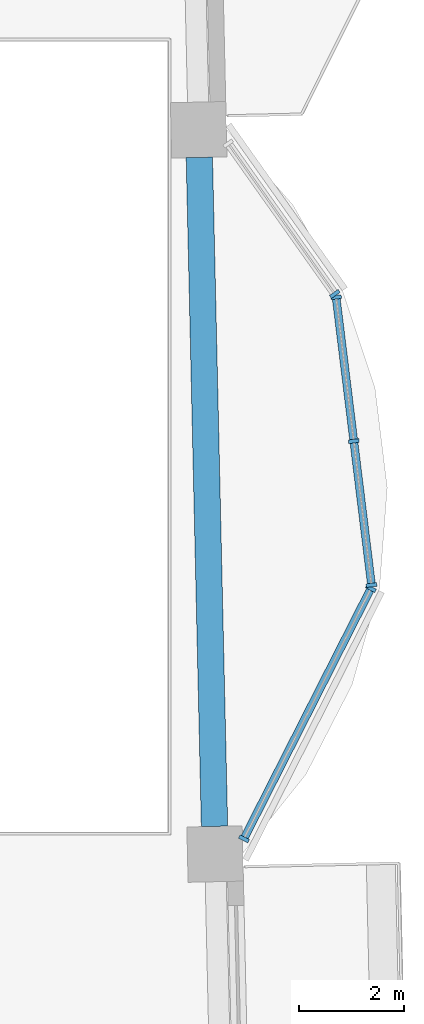
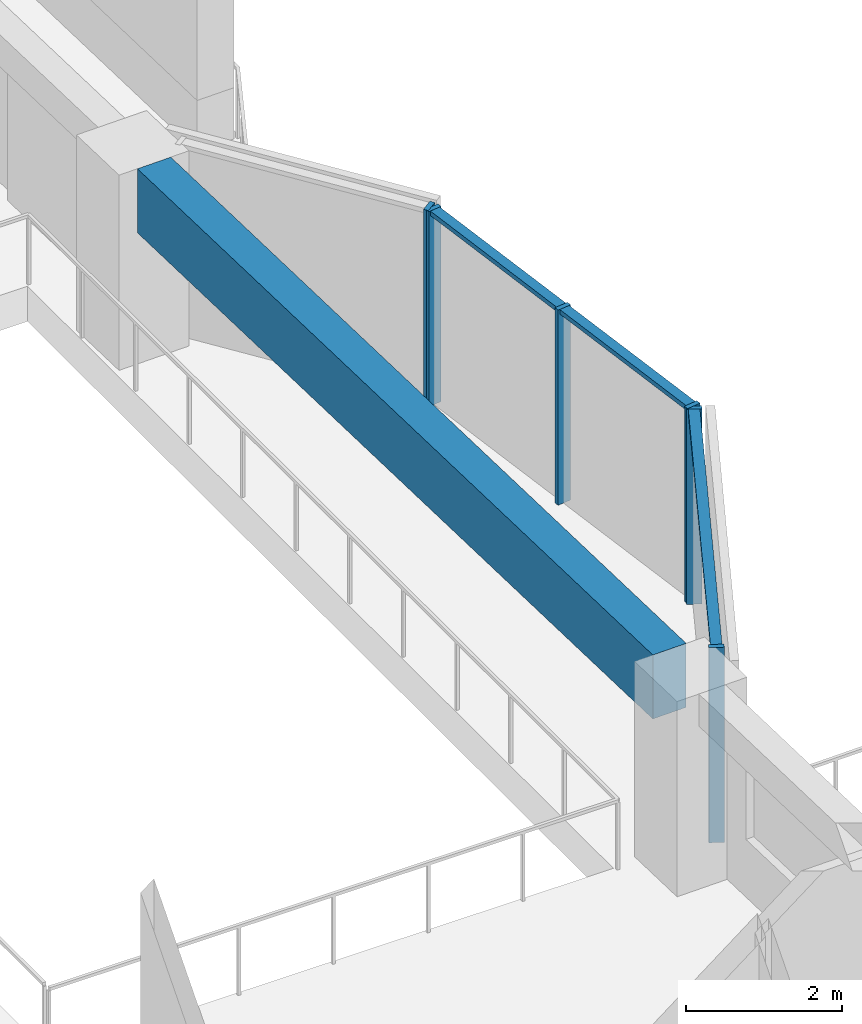
# One storey, part 2 of 17: 9 members, 1 beam, 3 elements without a shape of their own.
"""IFC4 building model written with IfcOpenShell, lengths in metres."""

from ifc_helpers import new_model, si_unit, direction, frame, origin, origin_2d, place, context, subcontext, project, spatial, rectangle, extrude, material, material_profile, profile_set, type_object, element, aggregate, save


model = new_model("IFC4")

# Units and contexts
model_context = context("Model", 3, precision=1e-05, world=origin(), true_north=direction((0.0, 1.0)))
body_context = subcontext(model_context, "Body", "Model", "MODEL_VIEW")
ifc_project = project(units=[si_unit("LENGTHUNIT", "METRE"), si_unit("AREAUNIT", "SQUARE_METRE"), si_unit("VOLUMEUNIT", "CUBIC_METRE"), si_unit("PLANEANGLEUNIT", "RADIAN"), si_unit("MASSUNIT", "GRAM", prefix="KILO")], contexts=[model_context])

# Site, building, storey
site_placement = place(None, origin())
site = spatial("IfcSite", under=ifc_project, at=site_placement, CompositionType="ELEMENT")
building_placement = place(site_placement, origin())
building = spatial("IfcBuilding", under=site, at=building_placement, Name="Mangrove Gate Tower", CompositionType="ELEMENT")
storey_placement = place(building_placement, frame((0.0, 0.0, 245.5)))
storey = spatial("IfcBuildingStorey", under=building, at=storey_placement, Name="L62", CompositionType="ELEMENT", Elevation=245.5)

# Curtain wall, members
ifc_material_1 = material(Name="Aluminium and glass curtain wall", Category="aluminium")
curtain_wall_type = type_object("IfcCurtainWallType", Name="Atrium garden-court glazing wall", PredefinedType="NOTDEFINED", material=ifc_material_1)
curtain_wall_1_placement = place(storey_placement, origin())
curtain_wall_1 = element("IfcCurtainWall", 1, at=curtain_wall_1_placement, inside=storey, type_object=curtain_wall_type, Name="Atrium garden-court glazing E1f1", PredefinedType="NOTDEFINED")
ifc_material_2 = material(Name="Aluminium alloy 6063-T6", Category="aluminium")
ifc_material_profile_1 = material_profile(ifc_material_2, rectangle(XDim=0.070068359375, YDim=0.199951171875, at=origin_2d()))
ifc_profile_set_1 = profile_set([ifc_material_profile_1], Name="Aluminium alloy 6063-T6")
member_type_1 = type_object("IfcMemberType", Name="Atrium garden-court glazing mullion 70x200", PredefinedType="MULLION", material=ifc_profile_set_1)
member_1_placement = place(storey_placement, frame((25.67333984375, -7.632080078125, 0.0), z_axis=(0.0, 0.0, 1.0), x_axis=(0.452597795636, 0.891714772439, 0.0)))
member_1 = element("IfcMember", 2, at=member_1_placement, type_object=member_type_1, Name="CWA mullion 1", PredefinedType="MULLION", context=body_context, shape_type="SweptSolid", body=[
    extrude(rectangle(XDim=0.070068359375, YDim=0.199951171875, at=origin_2d()), origin(), (0.0, 0.0, 1.0), 3.050048828125),
])
member_2_placement = place(storey_placement, frame((28.084716796875, -2.881103515625, 0.0), z_axis=(0.0, 0.0, 1.0), x_axis=(0.452597795636, 0.891714772439, 0.0)))
member_2 = element("IfcMember", 3, at=member_2_placement, type_object=member_type_1, Name="CWA mullion 2", PredefinedType="MULLION", context=body_context, shape_type="SweptSolid", body=[
    extrude(rectangle(XDim=0.070068359375, YDim=0.199951171875, at=origin_2d()), origin(), (0.0, 0.0, 1.0), 3.050048828125),
])

curtain_wall_2_placement = place(storey_placement, origin())
curtain_wall_2 = element("IfcCurtainWall", 4, at=curtain_wall_2_placement, inside=storey, type_object=curtain_wall_type, Name="Atrium garden-court glazing E1f2", PredefinedType="NOTDEFINED")
member_3_placement = place(storey_placement, frame((28.09619140625, -2.815185546875, 0.0), z_axis=(0.0, 0.0, 1.0), x_axis=(-0.122172285885, 0.992508908051, 0.0)))
member_3 = element("IfcMember", 5, at=member_3_placement, type_object=member_type_1, Name="CWA mullion 1", PredefinedType="MULLION", context=body_context, shape_type="SweptSolid", body=[
    extrude(rectangle(XDim=0.070068359375, YDim=0.199951171875, at=origin_2d()), origin(), (0.0, 0.0, 1.0), 3.050048828125),
])
member_4_placement = place(storey_placement, frame((27.760009765625, -0.083984375, 0.0), z_axis=(0.0, 0.0, 1.0), x_axis=(-0.122172285885, 0.992508908051, 0.0)))
member_4 = element("IfcMember", 6, at=member_4_placement, type_object=member_type_1, Name="CWA mullion 2", PredefinedType="MULLION", context=body_context, shape_type="SweptSolid", body=[
    extrude(rectangle(XDim=0.070068359375, YDim=0.199951171875, at=origin_2d()), origin(), (0.0, 0.0, 1.0), 3.050048828125),
])
member_5_placement = place(storey_placement, frame((27.423828125, 2.647216796875, 0.0), z_axis=(0.0, 0.0, 1.0), x_axis=(-0.122172285885, 0.992508908051, 0.0)))
member_5 = element("IfcMember", 7, at=member_5_placement, type_object=member_type_1, Name="CWA mullion 3", PredefinedType="MULLION", context=body_context, shape_type="SweptSolid", body=[
    extrude(rectangle(XDim=0.070068359375, YDim=0.199951171875, at=origin_2d()), origin(), (0.0, 0.0, 1.0), 3.050048828125),
])

# Curtain wall, member
curtain_wall_3_placement = place(storey_placement, origin())
curtain_wall_3 = element("IfcCurtainWall", 8, at=curtain_wall_3_placement, inside=storey, type_object=curtain_wall_type, Name="Atrium garden-court glazing E1f3", PredefinedType="NOTDEFINED")
member_6_placement = place(storey_placement, frame((27.3994140625, 2.71044921875, 0.0), z_axis=(0.0, 0.0, 1.0), x_axis=(-0.578120908245, 0.815951110944, 0.0)))
member_6 = element("IfcMember", 9, at=member_6_placement, type_object=member_type_1, Name="CWA mullion 1", PredefinedType="MULLION", context=body_context, shape_type="SweptSolid", body=[
    extrude(rectangle(XDim=0.070068359375, YDim=0.199951171875, at=origin_2d()), origin(), (0.0, 0.0, 1.0), 3.050048828125),
])
aggregate(curtain_wall_3, [member_6])

# Member
ifc_material_3 = material(Name="Aluminium alloy 6063-T6", Category="aluminium")
ifc_material_profile_2 = material_profile(ifc_material_3, rectangle(XDim=0.070068359375, YDim=0.14990234375, at=origin_2d()))
ifc_profile_set_2 = profile_set([ifc_material_profile_2], Name="Aluminium alloy 6063-T6")
member_type_2 = type_object("IfcMemberType", Name="Atrium garden-court glazing transom 70x150", PredefinedType="USERDEFINED", material=ifc_profile_set_2)
member_7_placement = place(storey_placement, frame((25.689208984375, -7.600830078125, 3.014892578125), z_axis=(0.452591825712, 0.891717802502, 0.0), x_axis=(0.0, 0.0, 1.0)))
member_7 = element("IfcMember", 10, at=member_7_placement, type_object=member_type_2, Name="CWA transom 1.2", ObjectType="TRANSOM", PredefinedType="USERDEFINED", context=body_context, shape_type="SweptSolid", body=[
    extrude(rectangle(XDim=0.070068359375, YDim=0.14990234375, at=origin_2d()), origin(), (0.0, 0.0, 1.0), 5.2578125),
])

aggregate(curtain_wall_1, [member_1, member_2, member_7])

member_8_placement = place(storey_placement, frame((28.092041015625, -2.7802734375, 3.014892578125), z_axis=(-0.122174517154, 0.992508633392, 0.0), x_axis=(0.0, 0.0, 1.0)))
member_8 = element("IfcMember", 11, at=member_8_placement, type_object=member_type_2, Name="CWA transom 1.2", ObjectType="TRANSOM", PredefinedType="USERDEFINED", context=body_context, shape_type="SweptSolid", body=[
    extrude(rectangle(XDim=0.070068359375, YDim=0.14990234375, at=origin_2d()), origin(), (0.0, 0.0, 1.0), 2.681640625),
])

member_9_placement = place(storey_placement, frame((27.755859375, -0.04931640625, 3.014892578125), z_axis=(-0.122174517154, 0.992508633392, 0.0), x_axis=(0.0, 0.0, 1.0)))
member_9 = element("IfcMember", 12, at=member_9_placement, type_object=member_type_2, Name="CWA transom 2.2", ObjectType="TRANSOM", PredefinedType="USERDEFINED", context=body_context, shape_type="SweptSolid", body=[
    extrude(rectangle(XDim=0.070068359375, YDim=0.14990234375, at=origin_2d()), origin(), (0.0, 0.0, 1.0), 2.681640625),
])

aggregate(curtain_wall_2, [member_3, member_4, member_5, member_8, member_9])

# Beam
ifc_material_4 = material(Name="Concrete C50/60", Category="concrete")
ifc_material_profile_3 = material_profile(ifc_material_4, rectangle(XDim=0.5, YDim=1.0, at=origin_2d()))
ifc_profile_set_3 = profile_set([ifc_material_profile_3], Name="Concrete C50/60")
beam_type = type_object("IfcBeamType", Name="Edge beam RC 500x1000 C50/60", PredefinedType="BEAM", material=ifc_profile_set_3)
beam_placement = place(storey_placement, frame((25.1162109375, -7.39599609375, 2.550048828125), z_axis=(-0.022682979457, 0.999742708122, 0.0), x_axis=(-0.999742708122, -0.022682979457, 0.0)))
element("IfcBeam", 13, at=beam_placement, inside=storey, type_object=beam_type, Name="Edge beam L62 14", PredefinedType="BEAM", context=body_context, shape_type="SweptSolid", body=[
    extrude(rectangle(XDim=0.5, YDim=1.0, at=origin_2d()), origin(), (0.0, 0.0, 1.0), 12.700439453125),
])

save(model, "model.ifc")
